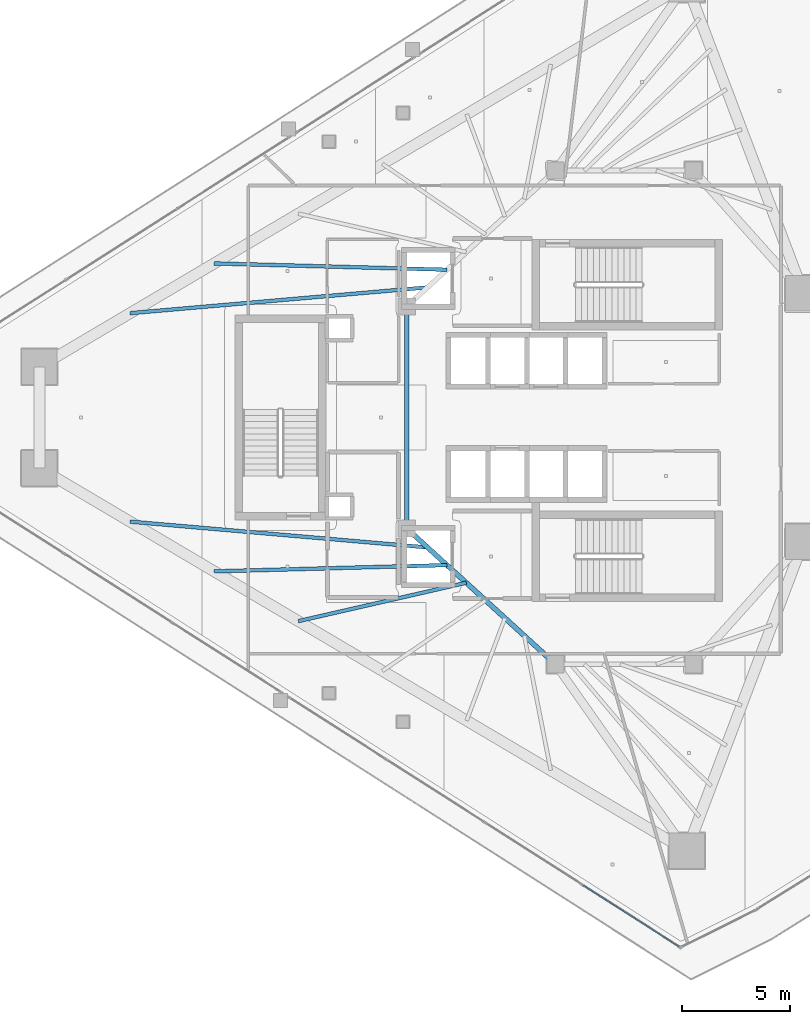
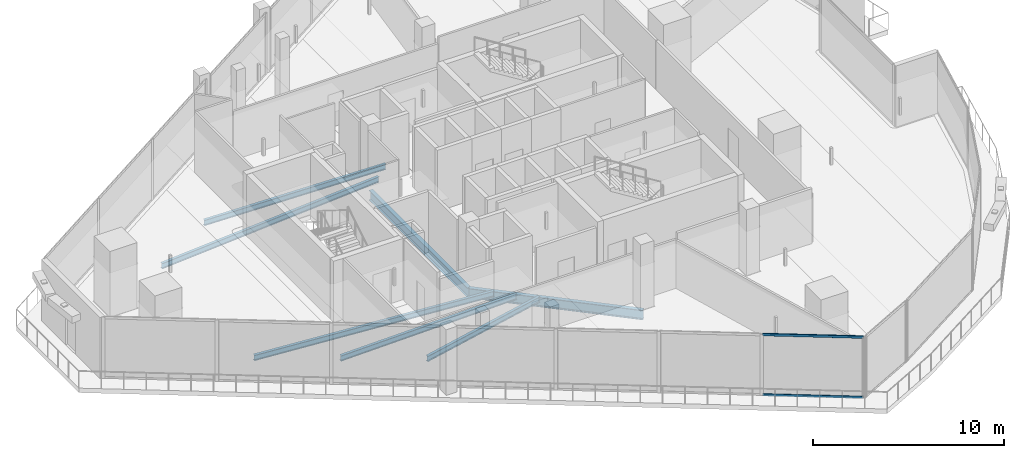
# One storey, part 6 of 31: 7 beams, 2 members, 1 element without a shape of its own.
"""IFC4 building model written with IfcOpenShell, lengths in metres."""

import ifcopenshell
import ifcopenshell.guid

model = None  # the IFC model being written
_history = None  # IfcOwnerHistory: only IFC2X3 demands one
_inside = {}  # id of a spatial element -> (the spatial element, [elements in it])
_under = {}  # id of a project, library or spatial element -> (it, [spatial elements below it])
_declared = {}  # id of a project -> (the project, [libraries it declares])
_typed = {}  # id of a type object -> (the type object, [elements of that type])
_made_of = {}  # id of a material, layer set ... -> (it, [elements and type objects made of it])


def new_model(schema):
    """Start an empty IFC model of exactly this schema.

    Asked for "IFC4X3", IfcOpenShell would pick the latest addendum, in which some entities
    have other attributes; the version numbers below select the first issue.
    IFC2X3 requires an IfcOwnerHistory on every rooted entity: one is made here for all.
    """
    global model, _history
    if schema == "IFC4X3":
        model = ifcopenshell.file(schema_version=(4, 3, 0, 0))
    else:
        model = ifcopenshell.file(schema=schema)
    _inside.clear()
    _under.clear()
    _declared.clear()
    _typed.clear()
    _made_of.clear()
    _history = None
    if model.schema == "IFC2X3":
        org = make("IfcOrganization", Name="unknown")
        user = make(
            "IfcPersonAndOrganization",
            ThePerson=make("IfcPerson", FamilyName="unknown"),
            TheOrganization=org,
        )
        app = make(
            "IfcApplication",
            ApplicationDeveloper=org,
            Version="unknown",
            ApplicationFullName="unknown",
            ApplicationIdentifier="unknown",
        )
        _history = make(
            "IfcOwnerHistory",
            OwningUser=user,
            OwningApplication=app,
            ChangeAction="ADDED",
            CreationDate=0,
        )
    return model


def make(cls, **values):
    """One entity of the class cls with the attributes given. An attribute that is None is left unset."""
    return model.create_entity(
        cls, **{name: value for name, value in values.items() if value is not None}
    )


def rooted(cls, **values):
    """An entity with a GlobalId (a new one), such as an element, a storey or a relation."""
    return make(cls, GlobalId=ifcopenshell.guid.new(), OwnerHistory=_history, **values)


def si_unit(unit_type, name, prefix=None):
    """IfcSIUnit, for example si_unit("LENGTHUNIT", "METRE", prefix="MILLI")."""
    return make("IfcSIUnit", UnitType=unit_type, Prefix=prefix, Name=name)


def assignment(units):
    """IfcUnitAssignment: the units of a project."""
    return None if units is None else make("IfcUnitAssignment", Units=units)


def point(xyz):
    """IfcCartesianPoint."""
    return None if xyz is None else make("IfcCartesianPoint", Coordinates=xyz)


def direction(xyz):
    """IfcDirection."""
    return None if xyz is None else make("IfcDirection", DirectionRatios=xyz)


def frame(location, z_axis=None, x_axis=None):
    """IfcAxis2Placement3D, a coordinate frame: its origin and axes. An axis left out is left unset."""
    return make(
        "IfcAxis2Placement3D",
        Location=point(location),
        Axis=direction(z_axis),
        RefDirection=direction(x_axis),
    )


def frame_2d(location, x_axis=None):
    """IfcAxis2Placement2D, a coordinate frame in the plane: its origin and x axis."""
    return make(
        "IfcAxis2Placement2D", Location=point(location), RefDirection=direction(x_axis)
    )


def origin():
    """The frame at (0, 0, 0) with its axes left unset."""
    return frame((0.0, 0.0, 0.0))


def origin_2d():
    """The frame at (0, 0) in the plane with its x axis left unset."""
    return frame_2d((0.0, 0.0))


def place(relative_to, where):
    """IfcLocalPlacement: puts the frame where relative to a parent placement (None: the world)."""
    return make(
        "IfcLocalPlacement", PlacementRelTo=relative_to, RelativePlacement=where
    )


def context(
    kind, dimensions, precision=None, world=None, true_north=None, identifier=None
):
    """IfcGeometricRepresentationContext, for example the 3D "Model" context."""
    return make(
        "IfcGeometricRepresentationContext",
        ContextIdentifier=identifier,
        ContextType=kind,
        CoordinateSpaceDimension=dimensions,
        Precision=precision,
        WorldCoordinateSystem=world,
        TrueNorth=true_north,
    )


def subcontext(parent, identifier, kind, view, scale=None):
    """IfcGeometricRepresentationSubContext, for example "Body" below "Model"."""
    return make(
        "IfcGeometricRepresentationSubContext",
        ContextIdentifier=identifier,
        ContextType=kind,
        ParentContext=parent,
        TargetScale=scale,
        TargetView=view,
    )


def project(units=None, contexts=None):
    """IfcProject with its units and contexts."""
    return rooted(
        "IfcProject",
        Name="project",
        RepresentationContexts=contexts,
        UnitsInContext=assignment(units),
    )


def spatial(cls, under=None, at=None, **own):
    """A site, building, storey or space (cls), placed at a placement, below another one or the project."""
    s = rooted(cls, ObjectPlacement=at, **own)
    if under is not None:
        _under.setdefault(under.id(), (under, []))[1].append(s)
    return s


def profile(cls, at=None, kind="AREA", **sizes):
    """A parametric profile (cls). Its sizes go by their IFC names, for example OverallWidth=200.0."""
    return make(cls, ProfileType=kind, Position=at, **sizes)


def hollow_rectangle(**sizes):
    """IfcRectangleHollowProfileDef."""
    return profile("IfcRectangleHollowProfileDef", **sizes)


def i_section(**sizes):
    """IfcIShapeProfileDef."""
    return profile("IfcIShapeProfileDef", **sizes)


def extrude(swept, where, along, depth):
    """IfcExtrudedAreaSolid: the profile swept, set in the frame where, extruded along a direction by depth."""
    return make(
        "IfcExtrudedAreaSolid",
        SweptArea=swept,
        Position=where,
        ExtrudedDirection=direction(along),
        Depth=depth,
    )


def shape(context_of_items, identifier, shape_type, items):
    """IfcShapeRepresentation: the items that make up one representation, for example the "Body"."""
    return make(
        "IfcShapeRepresentation",
        ContextOfItems=context_of_items,
        RepresentationIdentifier=identifier,
        RepresentationType=shape_type,
        Items=items,
    )


def material(Name=None, Category=None):
    """IfcMaterial."""
    return make("IfcMaterial", Name=Name, Category=Category)


def layer(
    of_material, thickness, ventilated=None, Name=None, Category=None, Priority=None
):
    """IfcMaterialLayer: one layer of a wall or slab, of a material (None: an air gap)."""
    return make(
        "IfcMaterialLayer",
        Material=of_material,
        LayerThickness=thickness,
        IsVentilated=ventilated,
        Name=Name,
        Category=Category,
        Priority=Priority,
    )


def layer_set(layers, Name=None):
    """IfcMaterialLayerSet."""
    return make("IfcMaterialLayerSet", MaterialLayers=layers, LayerSetName=Name)


def material_profile(
    of_material, cross_section, Name=None, Category=None, Priority=None
):
    """IfcMaterialProfile: a cross section and its material."""
    return make(
        "IfcMaterialProfile",
        Name=Name,
        Material=of_material,
        Profile=cross_section,
        Priority=Priority,
        Category=Category,
    )


def profile_set(profiles, Name=None, composite=None):
    """IfcMaterialProfileSet."""
    return make(
        "IfcMaterialProfileSet",
        Name=Name,
        MaterialProfiles=profiles,
        CompositeProfile=composite,
    )


def made_of(thing, what):
    """Note that an element or type object is made of a material, layer set ...; save() writes the relation."""
    if what is not None:
        _made_of.setdefault(what.id(), (what, []))[1].append(thing)
    return thing


def type_object(cls, material=None, **own):
    """A type object (cls), such as IfcWallType, which elements share."""
    return made_of(rooted(cls, **own), material)


def element(
    cls,
    number,
    at=None,
    inside=None,
    cuts=None,
    type_object=None,
    material=None,
    context=None,
    identifier="Body",
    shape_type=None,
    held_by="IfcProductDefinitionShape",
    body=None,
    shapes=None,
    **own,
):
    """One element of the class cls, such as IfcWall. Its Tag is "e" and its number.

    at: its placement. inside: the storey or other place that contains it. cuts: it is an
    opening in that element (IfcRelVoidsElement). A single representation is given by context,
    identifier, shape_type and body (its items); several are given by shapes. held_by: the class
    of the entity that holds the representations. save() writes the other relations.
    """
    e = rooted(cls, Tag="e%d" % number, ObjectPlacement=at, **own)
    if body is not None:
        shapes = [shape(context, identifier, shape_type, body)]
    if shapes is not None:
        e.Representation = make(held_by, Representations=shapes)
    if inside is not None:
        _inside.setdefault(inside.id(), (inside, []))[1].append(e)
    if cuts is not None:
        rooted(
            "IfcRelVoidsElement", RelatingBuildingElement=cuts, RelatedOpeningElement=e
        )
    if type_object is not None:
        _typed.setdefault(type_object.id(), (type_object, []))[1].append(e)
    return made_of(e, material)


def aggregate(whole, parts):
    """IfcRelAggregates: a whole, such as a stair, and the parts it consists of."""
    return rooted("IfcRelAggregates", RelatingObject=whole, RelatedObjects=parts)


def save(model, path):
    """Write the relations noted so far, then the file.

    IfcRelAggregates (storeys below a building ...), IfcRelContainedInSpatialStructure (elements
    in a storey), IfcRelDefinesByType, IfcRelAssociatesMaterial and IfcRelDeclares: one each for
    every whole, place, type object, material and project.
    """
    for whole, parts in _under.values():
        aggregate(whole, parts)
    for where, things in _inside.values():
        rooted(
            "IfcRelContainedInSpatialStructure",
            RelatedElements=things,
            RelatingStructure=where,
        )
    for kind, things in _typed.values():
        rooted("IfcRelDefinesByType", RelatedObjects=things, RelatingType=kind)
    for what, things in _made_of.values():
        rooted("IfcRelAssociatesMaterial", RelatedObjects=things, RelatingMaterial=what)
    for by, libraries in _declared.values():
        rooted("IfcRelDeclares", RelatingContext=by, RelatedDefinitions=libraries)
    model.write(path)


model = new_model("IFC4")

# Units and contexts
model_context = context("Model", 3, precision=1e-05, world=origin(), true_north=direction((0.0, 1.0)))
body_context = subcontext(model_context, "Body", "Model", "MODEL_VIEW")
ifc_project = project(units=[si_unit("LENGTHUNIT", "METRE"), si_unit("AREAUNIT", "SQUARE_METRE"), si_unit("VOLUMEUNIT", "CUBIC_METRE"), si_unit("PLANEANGLEUNIT", "RADIAN"), si_unit("MASSUNIT", "GRAM", prefix="KILO")], contexts=[model_context])

# Site, building, storey
site_placement = place(None, origin())
site = spatial("IfcSite", under=ifc_project, at=site_placement, CompositionType="ELEMENT")
building_placement = place(site_placement, origin())
building = spatial("IfcBuilding", under=site, at=building_placement, Name="Qorvath Tower", CompositionType="ELEMENT")
storey_placement = place(building_placement, frame((0.0, 0.0, 259.800048828125)))
storey = spatial("IfcBuildingStorey", under=building, at=storey_placement, Name="L60", CompositionType="ELEMENT", Elevation=259.800048828125)

# Beams
ifc_material_1 = material(Name="Steel ASTM A992 Grade 50", Category="steel")
ifc_material_profile_1 = material_profile(ifc_material_1, i_section(OverallWidth=0.22998046875, OverallDepth=0.616943359375, WebThickness=0.01318359375, FlangeThickness=0.022216796875, FilletRadius=0.014892578125, at=origin_2d()), Name="W24x94")
ifc_profile_set_1 = profile_set([ifc_material_profile_1], Name="Steel ASTM A992 Grade 50")
beam_type_1 = type_object("IfcBeamType", Name="BM-FG6", PredefinedType="BEAM", material=ifc_profile_set_1)
beam_1_placement = place(storey_placement, frame((-23.60009765625, -11.449951171875, -0.5986328125), z_axis=(-0.73847813985, 0.6742774184, 0.0), x_axis=(-0.6742774184, -0.73847813985, 0.0)))
element("IfcBeam", 1, at=beam_1_placement, inside=storey, type_object=beam_type_1, Name="Core Ring Girder CC4-CC6 L60", PredefinedType="BEAM", context=body_context, shape_type="SweptSolid", body=[
    extrude(i_section(OverallWidth=0.22998046875, OverallDepth=0.616943359375, WebThickness=0.01318359375, FlangeThickness=0.022216796875, FilletRadius=0.014892578125, at=origin_2d()), origin(), (0.0, 0.0, 1.0), 9.343505859375),
])
beam_2_placement = place(storey_placement, frame((-30.5, -5.14990234375, -0.5986328125), z_axis=(0.0, 1.0, 0.0), x_axis=(-1.0, 0.0, 0.0)))
element("IfcBeam", 2, at=beam_2_placement, inside=storey, type_object=beam_type_1, Name="Core Ring Girder CC6-CC5 L60", PredefinedType="BEAM", context=body_context, shape_type="SweptSolid", body=[
    extrude(i_section(OverallWidth=0.22998046875, OverallDepth=0.616943359375, WebThickness=0.01318359375, FlangeThickness=0.022216796875, FilletRadius=0.014892578125, at=origin_2d()), origin(), (0.0, 0.0, 1.0), 10.2998046875),
])
ifc_material_2 = material(Name="Steel ASTM A992 Grade 50", Category="steel")
ifc_material_profile_2 = material_profile(ifc_material_2, i_section(OverallWidth=0.1708984375, OverallDepth=0.35107421875, WebThickness=0.0068359375, FlangeThickness=0.009765625, FilletRadius=0.010009765625, at=origin_2d()), Name="W14x30")
ifc_profile_set_2 = profile_set([ifc_material_profile_2], Name="Steel ASTM A992 Grade 50")
beam_type_2 = type_object("IfcBeamType", Name="BM-FJ4", PredefinedType="JOIST", material=ifc_profile_set_2)
beam_3_placement = place(storey_placement, frame((-29.533935546875, 6.031982421875, -0.465576171875), z_axis=(-0.996257895131, -0.086430355719, 0.0), x_axis=(0.086430355719, -0.996257895131, 0.0)))
element("IfcBeam", 3, at=beam_3_placement, inside=storey, type_object=beam_type_2, Name="Composite Floor Joist NW1 L60", PredefinedType="JOIST", context=body_context, shape_type="SweptSolid", body=[
    extrude(i_section(OverallWidth=0.1708984375, OverallDepth=0.35107421875, WebThickness=0.0068359375, FlangeThickness=0.009765625, FilletRadius=0.010009765625, at=origin_2d()), origin(), (0.0, 0.0, 1.0), 13.852294921875),
])
beam_4_placement = place(storey_placement, frame((-28.636962890625, 6.85107421875, -0.465576171875), z_axis=(-0.999635580213, 0.026994569327, 0.0), x_axis=(-0.026994569327, -0.999635580213, 0.0)))
element("IfcBeam", 4, at=beam_4_placement, inside=storey, type_object=beam_type_2, Name="Composite Floor Joist NW2 L60", PredefinedType="JOIST", context=body_context, shape_type="SweptSolid", body=[
    extrude(i_section(OverallWidth=0.1708984375, OverallDepth=0.35107421875, WebThickness=0.0068359375, FlangeThickness=0.009765625, FilletRadius=0.010009765625, at=origin_2d()), origin(), (0.0, 0.0, 1.0), 10.798583984375),
])
beam_5_placement = place(storey_placement, frame((-29.533935546875, -6.031982421875, -0.465576171875), z_axis=(-0.996257895131, 0.086430355719, 0.0), x_axis=(-0.086430355719, -0.996257895131, 0.0)))
element("IfcBeam", 5, at=beam_5_placement, inside=storey, type_object=beam_type_2, Name="Composite Floor Joist SW1 L60", PredefinedType="JOIST", context=body_context, shape_type="SweptSolid", body=[
    extrude(i_section(OverallWidth=0.1708984375, OverallDepth=0.35107421875, WebThickness=0.0068359375, FlangeThickness=0.009765625, FilletRadius=0.010009765625, at=origin_2d()), origin(), (0.0, 0.0, 1.0), 13.852294921875),
])
beam_6_placement = place(storey_placement, frame((-28.636962890625, -6.85107421875, -0.465576171875), z_axis=(-0.999635580213, -0.026994569327, 0.0), x_axis=(0.026994569327, -0.999635580213, 0.0)))
element("IfcBeam", 6, at=beam_6_placement, inside=storey, type_object=beam_type_2, Name="Composite Floor Joist SW2 L60", PredefinedType="JOIST", context=body_context, shape_type="SweptSolid", body=[
    extrude(i_section(OverallWidth=0.1708984375, OverallDepth=0.35107421875, WebThickness=0.0068359375, FlangeThickness=0.009765625, FilletRadius=0.010009765625, at=origin_2d()), origin(), (0.0, 0.0, 1.0), 10.798583984375),
])
beam_7_placement = place(storey_placement, frame((-27.739990234375, -7.669921875, -0.465576171875), z_axis=(-0.974852627195, -0.222850522212, 0.0), x_axis=(0.222850522212, -0.974852627195, 0.0)))
element("IfcBeam", 7, at=beam_7_placement, inside=storey, type_object=beam_type_2, Name="Composite Floor Joist SW3 L60", PredefinedType="JOIST", context=body_context, shape_type="SweptSolid", body=[
    extrude(i_section(OverallWidth=0.1708984375, OverallDepth=0.35107421875, WebThickness=0.0068359375, FlangeThickness=0.009765625, FilletRadius=0.010009765625, at=origin_2d()), origin(), (0.0, 0.0, 1.0), 7.98974609375),
])

# Curtain wall, members
ifc_material_3 = material(Name="Anodised aluminium and triple low-E glass", Category="aluminium")
ifc_layer = layer(ifc_material_3, 0.179931640625)
ifc_layer_set = layer_set([ifc_layer], Name="CW-SYS-4")
curtain_wall_type = type_object("IfcCurtainWallType", Name="CW-SYS-4", PredefinedType="NOTDEFINED", material=ifc_layer_set)
curtain_wall_placement = place(storey_placement, origin())
curtain_wall = element("IfcCurtainWall", 8, at=curtain_wall_placement, inside=storey, type_object=curtain_wall_type, Name="Curtain Wall CW-4 CW-T-L60-2.2", PredefinedType="NOTDEFINED")
ifc_material_4 = material(Name="Anodised aluminium 6063-T6", Category="aluminium")
ifc_material_profile_3 = material_profile(ifc_material_4, hollow_rectangle(XDim=0.06494140625, YDim=0.159912109375, WallThickness=0.00341796875, InnerFilletRadius=0.00341796875, OuterFilletRadius=0.007080078125, at=origin_2d()), Name="CWT 160x65")
ifc_profile_set_3 = profile_set([ifc_material_profile_3], Name="Anodised aluminium 6063-T6")
member_type = type_object("IfcMemberType", Name="CWT-160", PredefinedType="USERDEFINED", material=ifc_profile_set_3)
member_1_placement = place(storey_placement, frame((-22.31884765625, -21.706298828125, 0.032470703125), z_axis=(0.842598438878, -0.53854235748, 0.0), x_axis=(0.53854235748, 0.842598438878, 0.0)))
member_1 = element("IfcMember", 9, at=member_1_placement, type_object=member_type, Name="CW-4 transom 4.1", ObjectType="TRANSOM", PredefinedType="USERDEFINED", context=body_context, shape_type="SweptSolid", body=[
    extrude(hollow_rectangle(XDim=0.06494140625, YDim=0.159912109375, WallThickness=0.00341796875, InnerFilletRadius=0.00341796875, OuterFilletRadius=0.007080078125, at=origin_2d()), origin(), (0.0, 0.0, 1.0), 5.284912109375),
])
member_2_placement = place(storey_placement, frame((-22.31884765625, -21.706298828125, 3.87744140625), z_axis=(0.842598438878, -0.53854235748, 0.0), x_axis=(0.53854235748, 0.842598438878, 0.0)))
member_2 = element("IfcMember", 10, at=member_2_placement, type_object=member_type, Name="CW-4 transom 4.2", ObjectType="TRANSOM", PredefinedType="USERDEFINED", context=body_context, shape_type="SweptSolid", body=[
    extrude(hollow_rectangle(XDim=0.06494140625, YDim=0.159912109375, WallThickness=0.00341796875, InnerFilletRadius=0.00341796875, OuterFilletRadius=0.007080078125, at=origin_2d()), origin(), (0.0, 0.0, 1.0), 5.284912109375),
])
aggregate(curtain_wall, [member_1, member_2])

save(model, "model.ifc")
